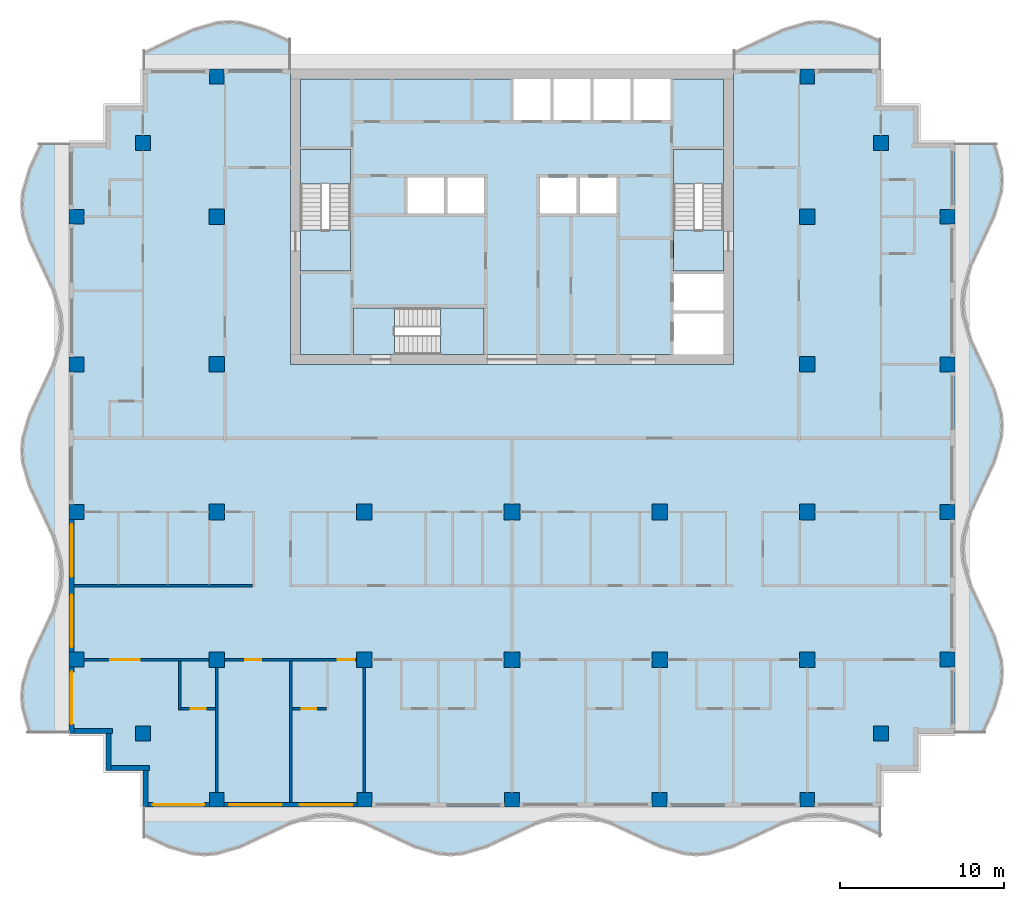
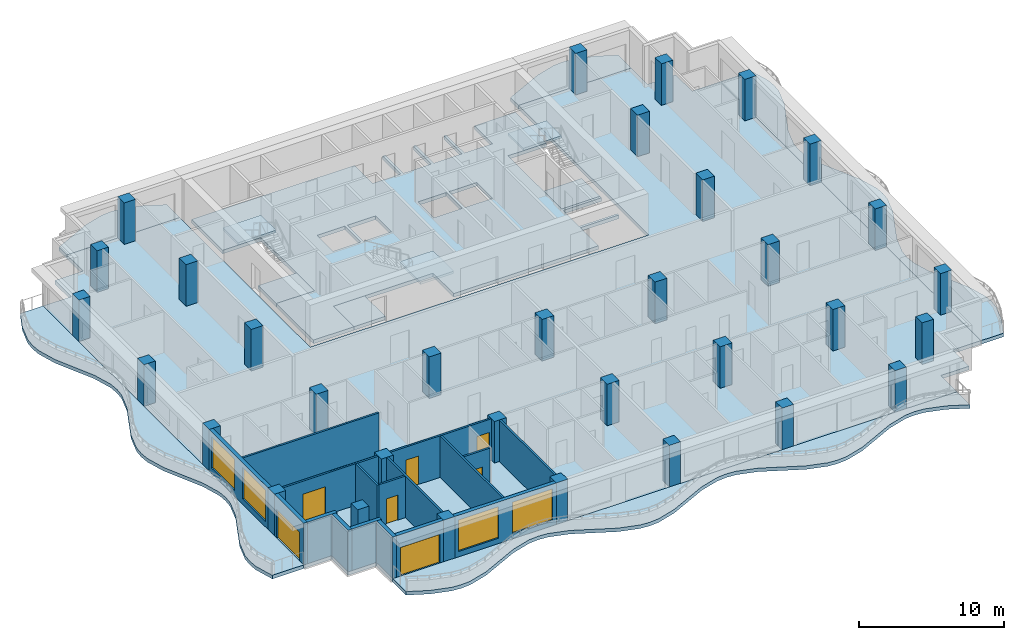
# One storey, part 1 of 11: 33 columns, 17 walls, 13 slabs, 7 doors, 4 windows, 11 openings, 3 elements without a shape of their own.
"""IFC4 building model written with IfcOpenShell, lengths in metres."""

from ifc_helpers import new_model, si_unit, direction, frame, frame_2d, origin, origin_2d, place, context, subcontext, project, spatial, polyline, rectangle, outline, extrude, material, layer, layer_set, material_profile, profile_set, type_object, element, fill, aggregate, save


model = new_model("IFC4")

# Units and contexts
model_context = context("Model", 3, precision=1e-05, world=origin(), true_north=direction((0.0, 1.0)))
body_context = subcontext(model_context, "Body", "Model", "MODEL_VIEW")
ifc_project = project(units=[si_unit("LENGTHUNIT", "METRE"), si_unit("AREAUNIT", "SQUARE_METRE"), si_unit("VOLUMEUNIT", "CUBIC_METRE"), si_unit("PLANEANGLEUNIT", "RADIAN"), si_unit("MASSUNIT", "GRAM", prefix="KILO")], contexts=[model_context])

# Site, building, storey
site_placement = place(None, origin())
site = spatial("IfcSite", under=ifc_project, at=site_placement, CompositionType="ELEMENT")
building_placement = place(site_placement, origin())
building = spatial("IfcBuilding", under=site, at=building_placement, Name="Orbiselva Terraces", CompositionType="ELEMENT")
storey_placement = place(building_placement, frame((0.0, 0.0, 273.0)))
storey = spatial("IfcBuildingStorey", under=building, at=storey_placement, Name="L69", CompositionType="ELEMENT", Elevation=273.0)

# Columns
ifc_material_1 = material(Name="Concrete C50/60", Category="concrete")
ifc_material_profile_1 = material_profile(ifc_material_1, rectangle(XDim=0.95, YDim=0.95, at=origin_2d()), Name="RC 950x950")
ifc_profile_set_1 = profile_set([ifc_material_profile_1], Name="Concrete C50/60")
column_type_1 = type_object("IfcColumnType", Name="COLUMN RC 950x950", PredefinedType="COLUMN", material=ifc_profile_set_1)
for number, where, z_axis, x_axis, name in (
    (1, (-18.0, -13.5, 0.0), (0.0, 0.0, 1.0), (1.0, 0.0, 0.0), "Column L69-01"),
    (2, (-18.0, -4.5, 0.0), (0.0, 0.0, 1.0), (1.0, 0.0, 0.0), "Column L69-03"),
    (3, (-18.0, 13.5, 0.0), (0.0, 0.0, 1.0), (1.0, 0.0, 0.0), "Column L69-04"),
    (4, (-18.0, 4.5, 0.0), (0.0, 0.0, 1.0), (1.0, 0.0, 0.0), "Column L69-06"),
    (5, (-9.0, -13.5, 0.0), (0.0, 0.0, 1.0), (1.0, 0.0, 0.0), "Column L69-13"),
    (6, (-9.0, -4.5, 0.0), (0.0, 0.0, 1.0), (1.0, 0.0, 0.0), "Column L69-15"),
    (7, (0.0, -13.5, 0.0), (0.0, 0.0, 1.0), (1.0, 0.0, 0.0), "Column L69-16"),
    (8, (0.0, -4.5, 0.0), (0.0, 0.0, 1.0), (1.0, 0.0, 0.0), "Column L69-18"),
    (9, (18.0, -13.5, 0.0), (0.0, 0.0, 1.0), (1.0, 0.0, 0.0), "Column L69-19"),
    (10, (18.0, -4.5, 0.0), (0.0, 0.0, 1.0), (1.0, 0.0, 0.0), "Column L69-21"),
    (11, (18.0, 13.5, 0.0), (0.0, 0.0, 1.0), (1.0, 0.0, 0.0), "Column L69-22"),
    (12, (18.0, 4.5, 0.0), (0.0, 0.0, 1.0), (1.0, 0.0, 0.0), "Column L69-24"),
    (13, (9.0, -13.5, 0.0), (0.0, 0.0, 1.0), (1.0, 0.0, 0.0), "Column L69-31"),
    (14, (9.0, -4.5, 0.0), (0.0, 0.0, 1.0), (1.0, 0.0, 0.0), "Column L69-33"),
):
    element("IfcColumn", number, at=place(storey_placement, frame(where, z_axis=z_axis, x_axis=x_axis)), inside=storey, type_object=column_type_1, Name=name, PredefinedType="COLUMN", context=body_context, shape_type="SweptSolid", body=[
        extrude(rectangle(XDim=0.95, YDim=0.95, at=origin_2d()), origin(), (0.0, 0.0, 1.0), 3.5),
    ])
ifc_material_profile_2 = material_profile(ifc_material_1, rectangle(XDim=0.9, YDim=0.9, at=origin_2d()), Name="RC 900x900")
ifc_profile_set_2 = profile_set([ifc_material_profile_2], Name="Concrete C50/60")
column_type_2 = type_object("IfcColumnType", Name="PERIMETER COLUMN RC 900x900", PredefinedType="COLUMN", material=ifc_profile_set_2)
for number, where, z_axis, x_axis, name in (
    (15, (-18.0, -22.05, 0.0), (0.0, 0.0, 1.0), (1.0, 0.0, 0.0), "Column L69-02"),
    (16, (-18.0, 22.05, 0.0), (0.0, 0.0, 1.0), (1.0, 0.0, 0.0), "Column L69-05"),
    (17, (-26.55, -13.5, 0.0), (0.0, 0.0, 1.0), (1.0, 0.0, 0.0), "Column L69-07"),
    (18, (-22.5, -18.0, 0.0), (0.0, 0.0, 1.0), (1.0, 0.0, 0.0), "Column L69-08"),
    (19, (-26.55, -4.5, 0.0), (0.0, 0.0, 1.0), (1.0, 0.0, 0.0), "Column L69-09"),
    (20, (-26.55, 13.5, 0.0), (0.0, 0.0, 1.0), (1.0, 0.0, 0.0), "Column L69-10"),
    (21, (-22.5, 18.0, 0.0), (0.0, 0.0, 1.0), (1.0, 0.0, 0.0), "Column L69-11"),
    (22, (-26.55, 4.5, 0.0), (0.0, 0.0, 1.0), (1.0, 0.0, 0.0), "Column L69-12"),
    (23, (-9.0, -22.05, 0.0), (0.0, 0.0, 1.0), (1.0, 0.0, 0.0), "Column L69-14"),
    (24, (0.0, -22.05, 0.0), (0.0, 0.0, 1.0), (1.0, 0.0, 0.0), "Column L69-17"),
    (25, (18.0, -22.05, 0.0), (0.0, 0.0, 1.0), (1.0, 0.0, 0.0), "Column L69-20"),
    (26, (18.0, 22.05, 0.0), (0.0, 0.0, 1.0), (1.0, 0.0, 0.0), "Column L69-23"),
    (27, (26.55, -13.5, 0.0), (0.0, 0.0, 1.0), (1.0, 0.0, 0.0), "Column L69-25"),
    (28, (22.5, -18.0, 0.0), (0.0, 0.0, 1.0), (1.0, 0.0, 0.0), "Column L69-26"),
    (29, (26.55, -4.5, 0.0), (0.0, 0.0, 1.0), (1.0, 0.0, 0.0), "Column L69-27"),
    (30, (26.55, 13.5, 0.0), (0.0, 0.0, 1.0), (1.0, 0.0, 0.0), "Column L69-28"),
    (31, (22.5, 18.0, 0.0), (0.0, 0.0, 1.0), (1.0, 0.0, 0.0), "Column L69-29"),
    (32, (26.55, 4.5, 0.0), (0.0, 0.0, 1.0), (1.0, 0.0, 0.0), "Column L69-30"),
    (33, (9.0, -22.05, 0.0), (0.0, 0.0, 1.0), (1.0, 0.0, 0.0), "Column L69-32"),
):
    element("IfcColumn", number, at=place(storey_placement, frame(where, z_axis=z_axis, x_axis=x_axis)), inside=storey, type_object=column_type_2, Name=name, PredefinedType="COLUMN", context=body_context, shape_type="SweptSolid", body=[
        extrude(rectangle(XDim=0.9, YDim=0.9, at=origin_2d()), origin(), (0.0, 0.0, 1.0), 3.5),
    ])

# Slabs
ifc_material_2 = material(Name="Concrete C40/50", Category="concrete")
ifc_layer_1 = layer(ifc_material_2, 0.3)
ifc_layer_set_1 = layer_set([ifc_layer_1], Name="Concrete C40/50")
slab_type_1 = type_object("IfcSlabType", Name="CORE-SLAB-FLOOR-300", PredefinedType="FLOOR", material=ifc_layer_set_1)
slab_1_placement = place(storey_placement, frame((0.0, 0.0, -0.3)))
element("IfcSlab", 34, at=slab_1_placement, inside=storey, type_object=slab_type_1, Name="L69 S1 floor landing", PredefinedType="FLOOR", context=body_context, shape_type="SweptSolid", body=[
    extrude(outline(polyline([(-12.9, 12.7), (-9.85, 12.7), (-9.85, 10.2), (-12.9, 10.2), (-12.9, 12.7)])), origin(), (0.0, 0.0, 1.0), 0.3),
])
slab_2_placement = place(storey_placement, frame((0.0, 0.0, -0.3)))
element("IfcSlab", 35, at=slab_2_placement, inside=storey, type_object=slab_type_1, Name="L69 S2 floor landing", PredefinedType="FLOOR", context=body_context, shape_type="SweptSolid", body=[
    extrude(outline(polyline([(12.9, 12.7), (12.9, 10.2), (9.85, 10.2), (9.85, 12.7), (12.9, 12.7)])), origin(), (0.0, 0.0, 1.0), 0.3),
])
slab_3_placement = place(storey_placement, frame((0.0, 0.0, -0.3)))
element("IfcSlab", 36, at=slab_3_placement, inside=storey, type_object=slab_type_1, Name="L69 S3 floor landing", PredefinedType="FLOOR", context=body_context, shape_type="SweptSolid", body=[
    extrude(outline(polyline([(-7.15, 5.1), (-9.65, 5.1), (-9.65, 7.95), (-7.15, 7.95), (-7.15, 5.1)])), origin(), (0.0, 0.0, 1.0), 0.3),
])
slab_4_placement = place(storey_placement, frame((0.0, 0.0, -0.3)))
element("IfcSlab", 37, at=slab_4_placement, inside=storey, type_object=slab_type_1, Name="L69 core floor slab 1", PredefinedType="FLOOR", context=body_context, shape_type="SweptSolid", body=[
    extrude(outline(polyline([(-1.7, 5.1), (-1.7, 7.95), (-9.65, 7.95), (-9.65, 5.1), (-12.9, 5.1), (-12.9, 10.2), (-9.85, 10.2), (-9.85, 17.6), (-12.9, 17.6), (-12.9, 21.9), (0.1, 21.9), (0.1, 19.4), (2.3375, 19.4), (2.3375, 21.9), (2.5375, 21.9), (2.5375, 19.4), (4.775, 19.4), (4.775, 21.9), (4.975, 21.9), (4.975, 19.4), (7.2125, 19.4), (7.2125, 21.9), (7.4125, 21.9), (7.4125, 19.4), (9.65, 19.4), (9.65, 21.9), (12.9, 21.9), (12.9, 17.6), (9.85, 17.6), (9.85, 10.2), (12.9, 10.2), (12.9, 10.0), (9.85, 10.0), (9.85, 7.8), (12.9, 7.8), (12.9, 7.6), (9.85, 7.6), (9.85, 5.1), (-1.7, 5.1)]), holes=[polyline([(-4.1375, 13.7), (-4.1375, 15.9), (-6.375, 15.9), (-6.375, 13.7), (-4.1375, 13.7)]), polyline([(-1.7, 13.7), (-1.7, 15.9), (-3.9375, 15.9), (-3.9375, 13.7), (-1.7, 13.7)]), polyline([(3.9375, 15.9), (1.7, 15.9), (1.7, 13.7), (3.9375, 13.7), (3.9375, 15.9)]), polyline([(6.375, 13.7), (6.375, 15.9), (4.1375, 15.9), (4.1375, 13.7), (6.375, 13.7)])]), origin(), (0.0, 0.0, 1.0), 0.3),
])

# Stair, slab
stair_type_1 = type_object("IfcStairType", Name="CORE-STAIR-1300", PredefinedType="HALF_TURN_STAIR", material=ifc_material_2)
stair_1_placement = place(storey_placement, origin())
stair_1 = element("IfcStair", 38, at=stair_1_placement, inside=storey, type_object=stair_type_1, Name="L69 Exit Stair S1", PredefinedType="HALF_TURN_STAIR")
ifc_layer_2 = layer(ifc_material_2, 0.2)
ifc_layer_set_2 = layer_set([ifc_layer_2], Name="Concrete C40/50")
slab_type_2 = type_object("IfcSlabType", Name="CORE-STAIR-LANDING-200", PredefinedType="LANDING", material=ifc_layer_set_2)
slab_5_placement = place(storey_placement, frame((0.0, 0.0, 1.7)))
slab_5 = element("IfcSlab", 39, at=slab_5_placement, type_object=slab_type_2, Name="S1 landing 1", PredefinedType="LANDING", context=body_context, shape_type="SweptSolid", body=[
    extrude(outline(polyline([(-9.85, 15.5), (-9.85, 17.6), (-12.9, 17.6), (-12.9, 15.5), (-9.85, 15.5)])), origin(), (0.0, 0.0, 1.0), 0.2),
])
aggregate(stair_1, [slab_5])

stair_2_placement = place(storey_placement, origin())
stair_2 = element("IfcStair", 40, at=stair_2_placement, inside=storey, type_object=stair_type_1, Name="L69 Exit Stair S2", PredefinedType="HALF_TURN_STAIR")
slab_6_placement = place(storey_placement, frame((0.0, 0.0, 1.7)))
slab_6 = element("IfcSlab", 41, at=slab_6_placement, type_object=slab_type_2, Name="S2 landing 1", PredefinedType="LANDING", context=body_context, shape_type="SweptSolid", body=[
    extrude(outline(polyline([(12.9, 15.5), (12.9, 17.6), (9.85, 17.6), (9.85, 15.5), (12.9, 15.5)])), origin(), (0.0, 0.0, 1.0), 0.2),
])
aggregate(stair_2, [slab_6])

stair_type_2 = type_object("IfcStairType", Name="CORE-STAIR-1200", PredefinedType="HALF_TURN_STAIR", material=ifc_material_2)
stair_3_placement = place(storey_placement, origin())
stair_3 = element("IfcStair", 42, at=stair_3_placement, inside=storey, type_object=stair_type_2, Name="L69 Exit Stair S3", PredefinedType="HALF_TURN_STAIR")
slab_7_placement = place(storey_placement, frame((0.0, 0.0, 1.7)))
slab_7 = element("IfcSlab", 43, at=slab_7_placement, type_object=slab_type_2, Name="S3 landing 1", PredefinedType="LANDING", context=body_context, shape_type="SweptSolid", body=[
    extrude(outline(polyline([(-4.35, 5.1), (-1.7, 5.1), (-1.7, 7.95), (-4.35, 7.95), (-4.35, 5.1)])), origin(), (0.0, 0.0, 1.0), 0.2),
])
aggregate(stair_3, [slab_7])

# Slabs
ifc_layer_3 = layer(ifc_material_1, 0.3)
ifc_layer_set_3 = layer_set([ifc_layer_3], Name="Concrete C50/60")
slab_type_3 = type_object("IfcSlabType", Name="ENV-BALCONY-SLAB-300", PredefinedType="FLOOR", material=ifc_layer_set_3)
slab_8_placement = place(storey_placement, frame((0.0, 0.0, -0.3)))
element("IfcSlab", 44, at=slab_8_placement, inside=storey, type_object=slab_type_3, Name="Balcony slab L69 S", PredefinedType="FLOOR", context=body_context, shape_type="SweptSolid", body=[
    extrude(outline(polyline([(-22.5, -24.3), (-21.0, -25.005342), (-19.5, -25.441268), (-18.75, -25.5), (-18.0, -25.441268), (-16.5, -25.005342), (-13.5, -23.594658), (-12.0, -23.158732), (-11.25, -23.1), (-10.5, -23.158732), (-9.0, -23.594658), (-6.0, -25.005342), (-4.5, -25.441268), (-3.75, -25.5), (-3.0, -25.441268), (-1.5, -25.005342), (1.5, -23.594658), (3.0, -23.158732), (3.75, -23.1), (4.5, -23.158732), (6.0, -23.594658), (9.0, -25.005342), (10.5, -25.441268), (11.25, -25.5), (12.0, -25.441268), (13.5, -25.005342), (16.5, -23.594658), (18.0, -23.158732), (18.75, -23.1), (19.5, -23.158732), (21.0, -23.594658), (22.5, -24.3), (22.5, -22.5), (-22.5, -22.5), (-22.5, -24.3)])), origin(), (0.0, 0.0, 1.0), 0.3),
])
slab_9_placement = place(storey_placement, frame((0.0, 0.0, -0.3)))
element("IfcSlab", 45, at=slab_9_placement, inside=storey, type_object=slab_type_3, Name="Balcony slab L69 E", PredefinedType="FLOOR", context=body_context, shape_type="SweptSolid", body=[
    extrude(outline(polyline([(28.8, -18.0), (29.505342, -16.5), (29.941268, -15.0), (30.0, -14.25), (29.941268, -13.5), (29.505342, -12.0), (28.094658, -9.0), (27.658732, -7.5), (27.6, -6.75), (27.658732, -6.0), (28.094658, -4.5), (29.505342, -1.5), (29.941268, 0.0), (30.0, 0.75), (29.941268, 1.5), (29.505342, 3.0), (28.094658, 6.0), (27.658732, 7.5), (27.6, 8.25), (27.658732, 9.0), (28.094658, 10.5), (29.505342, 13.5), (29.941268, 15.0), (30.0, 15.75), (29.941268, 16.5), (29.505342, 18.0), (27.0, 18.0), (27.0, -18.0), (28.8, -18.0)])), origin(), (0.0, 0.0, 1.0), 0.3),
])
slab_10_placement = place(storey_placement, frame((0.0, 0.0, -0.3)))
element("IfcSlab", 46, at=slab_10_placement, inside=storey, type_object=slab_type_3, Name="Balcony slab L69 NE", PredefinedType="FLOOR", context=body_context, shape_type="SweptSolid", body=[
    extrude(outline(polyline([(22.5, 24.3), (21.0, 25.005342), (19.5, 25.441268), (18.75, 25.5), (18.0, 25.441268), (16.5, 25.005342), (13.5, 23.594658), (13.5, 22.5), (22.5, 22.5), (22.5, 24.3)])), origin(), (0.0, 0.0, 1.0), 0.3),
])
slab_11_placement = place(storey_placement, frame((0.0, 0.0, -0.3)))
element("IfcSlab", 47, at=slab_11_placement, inside=storey, type_object=slab_type_3, Name="Balcony slab L69 NW", PredefinedType="FLOOR", context=body_context, shape_type="SweptSolid", body=[
    extrude(outline(polyline([(-13.5, 24.3), (-15.0, 25.005342), (-16.5, 25.441268), (-17.25, 25.5), (-18.0, 25.441268), (-19.5, 25.005342), (-22.5, 23.594658), (-22.5, 22.5), (-13.5, 22.5), (-13.5, 24.3)])), origin(), (0.0, 0.0, 1.0), 0.3),
])
slab_12_placement = place(storey_placement, frame((0.0, 0.0, -0.3)))
element("IfcSlab", 48, at=slab_12_placement, inside=storey, type_object=slab_type_3, Name="Balcony slab L69 W", PredefinedType="FLOOR", context=body_context, shape_type="SweptSolid", body=[
    extrude(outline(polyline([(-28.8, 18.0), (-29.505342, 16.5), (-29.941268, 15.0), (-30.0, 14.25), (-29.941268, 13.5), (-29.505342, 12.0), (-28.094658, 9.0), (-27.658732, 7.5), (-27.6, 6.75), (-27.658732, 6.0), (-28.094658, 4.5), (-29.505342, 1.5), (-29.941268, 0.0), (-30.0, -0.75), (-29.941268, -1.5), (-29.505342, -3.0), (-28.094658, -6.0), (-27.658732, -7.5), (-27.6, -8.25), (-27.658732, -9.0), (-28.094658, -10.5), (-29.505342, -13.5), (-29.941268, -15.0), (-30.0, -15.75), (-29.941268, -16.5), (-29.505342, -18.0), (-27.0, -18.0), (-27.0, 18.0), (-28.8, 18.0)])), origin(), (0.0, 0.0, 1.0), 0.3),
])
ifc_layer_4 = layer(ifc_material_1, 0.3)
ifc_layer_set_4 = layer_set([ifc_layer_4], Name="Concrete C50/60")
slab_type_4 = type_object("IfcSlabType", Name="FLOOR SLAB 300", PredefinedType="FLOOR", material=ifc_layer_set_4)
slab_13_placement = place(storey_placement, frame((0.0, 0.0, -0.3)))
element("IfcSlab", 49, at=slab_13_placement, inside=storey, type_object=slab_type_4, Name="Floor slab L69", PredefinedType="FLOOR", context=body_context, shape_type="SweptSolid", body=[
    extrude(outline(polyline([(22.5, 22.5), (22.5, 20.25), (24.75, 20.25), (24.75, 18.0), (27.0, 18.0), (27.0, -18.0), (24.75, -18.0), (24.75, -20.25), (22.5, -20.25), (22.5, -22.5), (-22.5, -22.5), (-22.5, -20.25), (-24.75, -20.25), (-24.75, -18.0), (-27.0, -18.0), (-27.0, 18.0), (-24.75, 18.0), (-24.75, 20.25), (-22.5, 20.25), (-22.5, 22.5), (-13.5, 22.5), (-13.5, 4.5), (13.5, 4.5), (13.5, 22.5), (22.5, 22.5)])), origin(), (0.0, 0.0, 1.0), 0.3),
])

# Wall, opening, door
ifc_material_3 = material(Name="Terracotta cladding on masonry backing", Category="masonry")
ifc_layer_5 = layer(ifc_material_3, 0.3)
ifc_layer_set_5 = layer_set([ifc_layer_5], Name="Terracotta cladding on masonry backing")
wall_type_1 = type_object("IfcWallType", Name="ENV-WALL-TERRACOTTA-300", PredefinedType="SOLIDWALL", material=ifc_layer_set_5)
wall_1_placement = place(storey_placement, frame((-18.45, -22.35, 0.0), z_axis=(0.0, 0.0, 1.0), x_axis=(-1.0, 0.0, 0.0)))
wall_1 = element("IfcWall", 50, at=wall_1_placement, inside=storey, type_object=wall_type_1, Name="Facade wall L69 S", PredefinedType="SOLIDWALL", context=body_context, shape_type="SweptSolid", body=[
    extrude(rectangle(XDim=3.75, YDim=0.3, at=frame_2d((1.875, 0.0))), origin(), (0.0, 0.0, 1.0), 3.5),
])
opening_1_placement = place(wall_1_placement, frame((0.3, 0.0, 0.0)))
opening_1 = element("IfcOpeningElement", 51, at=opening_1_placement, cuts=wall_1, Name="Opening Z5-D-E01", PredefinedType="OPENING", context=body_context, shape_type="SweptSolid", body=[
    extrude(rectangle(XDim=3.15, YDim=2.4, at=frame_2d((1.575, 1.2))), frame((0.0, 0.16, 0.0), z_axis=(0.0, -1.0, 0.0), x_axis=(1.0, 0.0, 0.0)), (0.0, 0.0, 1.0), 0.32),
])
ifc_material_4 = material(Name="Clear low-e glazing in aluminium frame", Category="aluminium")
door_type_1 = type_object("IfcDoorType", Name="BALCONY DOOR 3150 X 2400", OperationType="DOUBLE_DOOR_SLIDING", PredefinedType="DOOR", material=ifc_material_4)
door_1_placement = place(opening_1_placement, origin())
door_1 = element("IfcDoor", 52, at=door_1_placement, inside=storey, type_object=door_type_1, Name="Z5-D-E01", OperationType="SINGLE_SWING_LEFT", OverallHeight=2.4, OverallWidth=3.15, PredefinedType="DOOR", context=body_context, shape_type="SweptSolid", body=[
    extrude(rectangle(XDim=3.15, YDim=2.4, at=frame_2d((1.575, 1.2))), frame((0.0, 0.025, 0.0), z_axis=(0.0, -1.0, 0.0), x_axis=(1.0, 0.0, 0.0)), (0.0, 0.0, 1.0), 0.05),
])
fill(opening_1, door_1)

# Wall, openings, windows
wall_2_placement = place(storey_placement, frame((-9.45, -22.35, 0.0), z_axis=(0.0, 0.0, 1.0), x_axis=(-1.0, 0.0, 0.0)))
wall_2 = element("IfcWall", 53, at=wall_2_placement, inside=storey, type_object=wall_type_1, Name="Facade wall L69 S", PredefinedType="SOLIDWALL", context=body_context, shape_type="SweptSolid", body=[
    extrude(rectangle(XDim=8.1, YDim=0.3, at=frame_2d((4.05, 0.0))), origin(), (0.0, 0.0, 1.0), 3.5),
])
opening_2_placement = place(wall_2_placement, frame((4.6, 0.0, 0.45)))
opening_2 = element("IfcOpeningElement", 54, at=opening_2_placement, cuts=wall_2, Name="Opening WN17", PredefinedType="OPENING", context=body_context, shape_type="SweptSolid", body=[
    extrude(rectangle(XDim=3.2, YDim=2.65, at=frame_2d((1.6, 1.325))), frame((0.0, 0.16, 0.0), z_axis=(0.0, -1.0, 0.0), x_axis=(1.0, 0.0, 0.0)), (0.0, 0.0, 1.0), 0.32),
])
opening_3_placement = place(wall_2_placement, frame((0.3, 0.0, 0.45)))
opening_3 = element("IfcOpeningElement", 55, at=opening_3_placement, cuts=wall_2, Name="Opening WN17", PredefinedType="OPENING", context=body_context, shape_type="SweptSolid", body=[
    extrude(rectangle(XDim=3.2, YDim=2.65, at=frame_2d((1.6, 1.325))), frame((0.0, 0.16, 0.0), z_axis=(0.0, -1.0, 0.0), x_axis=(1.0, 0.0, 0.0)), (0.0, 0.0, 1.0), 0.32),
])
window_type = type_object("IfcWindowType", Name="WINDOW 3200 X 2650 S450", PartitioningType="TRIPLE_PANEL_VERTICAL", PredefinedType="WINDOW", material=ifc_material_4)
window_1_placement = place(opening_2_placement, origin())
window_1 = element("IfcWindow", 56, at=window_1_placement, inside=storey, type_object=window_type, Name="Window L69 S", OverallHeight=2.65, OverallWidth=3.2, PartitioningType="SINGLE_PANEL", PredefinedType="WINDOW", context=body_context, shape_type="SweptSolid", body=[
    extrude(rectangle(XDim=3.2, YDim=2.65, at=frame_2d((1.6, 1.325))), frame((0.0, 0.03, 0.0), z_axis=(0.0, -1.0, 0.0), x_axis=(1.0, 0.0, 0.0)), (0.0, 0.0, 1.0), 0.06),
])
fill(opening_2, window_1)
window_2_placement = place(opening_3_placement, origin())
window_2 = element("IfcWindow", 57, at=window_2_placement, inside=storey, type_object=window_type, Name="Window L69 S", OverallHeight=2.65, OverallWidth=3.2, PartitioningType="SINGLE_PANEL", PredefinedType="WINDOW", context=body_context, shape_type="SweptSolid", body=[
    extrude(rectangle(XDim=3.2, YDim=2.65, at=frame_2d((1.6, 1.325))), frame((0.0, 0.03, 0.0), z_axis=(0.0, -1.0, 0.0), x_axis=(1.0, 0.0, 0.0)), (0.0, 0.0, 1.0), 0.06),
])
fill(opening_3, window_2)

wall_3_placement = place(storey_placement, frame((-26.85, -13.05, 0.0), z_axis=(0.0, 0.0, 1.0), x_axis=(0.0, 1.0, 0.0)))
wall_3 = element("IfcWall", 58, at=wall_3_placement, inside=storey, type_object=wall_type_1, Name="Facade wall L69 W", PredefinedType="SOLIDWALL", context=body_context, shape_type="SweptSolid", body=[
    extrude(rectangle(XDim=8.1, YDim=0.3, at=frame_2d((4.05, 0.0))), origin(), (0.0, 0.0, 1.0), 3.5),
])
opening_4_placement = place(wall_3_placement, frame((4.6, 0.0, 0.45)))
opening_4 = element("IfcOpeningElement", 59, at=opening_4_placement, cuts=wall_3, Name="Opening WN17", PredefinedType="OPENING", context=body_context, shape_type="SweptSolid", body=[
    extrude(rectangle(XDim=3.2, YDim=2.65, at=frame_2d((1.6, 1.325))), frame((0.0, 0.16, 0.0), z_axis=(0.0, -1.0, 0.0), x_axis=(1.0, 0.0, 0.0)), (0.0, 0.0, 1.0), 0.32),
])
opening_5_placement = place(wall_3_placement, frame((0.3, 0.0, 0.45)))
opening_5 = element("IfcOpeningElement", 60, at=opening_5_placement, cuts=wall_3, Name="Opening WN17", PredefinedType="OPENING", context=body_context, shape_type="SweptSolid", body=[
    extrude(rectangle(XDim=3.2, YDim=2.65, at=frame_2d((1.6, 1.325))), frame((0.0, 0.16, 0.0), z_axis=(0.0, -1.0, 0.0), x_axis=(1.0, 0.0, 0.0)), (0.0, 0.0, 1.0), 0.32),
])
window_3_placement = place(opening_4_placement, origin())
window_3 = element("IfcWindow", 61, at=window_3_placement, inside=storey, type_object=window_type, Name="Window L69 W", OverallHeight=2.65, OverallWidth=3.2, PartitioningType="SINGLE_PANEL", PredefinedType="WINDOW", context=body_context, shape_type="SweptSolid", body=[
    extrude(rectangle(XDim=3.2, YDim=2.65, at=frame_2d((1.6, 1.325))), frame((0.0, 0.03, 0.0), z_axis=(0.0, -1.0, 0.0), x_axis=(1.0, 0.0, 0.0)), (0.0, 0.0, 1.0), 0.06),
])
fill(opening_4, window_3)
window_4_placement = place(opening_5_placement, origin())
window_4 = element("IfcWindow", 62, at=window_4_placement, inside=storey, type_object=window_type, Name="Window L69 W", OverallHeight=2.65, OverallWidth=3.2, PartitioningType="SINGLE_PANEL", PredefinedType="WINDOW", context=body_context, shape_type="SweptSolid", body=[
    extrude(rectangle(XDim=3.2, YDim=2.65, at=frame_2d((1.6, 1.325))), frame((0.0, 0.03, 0.0), z_axis=(0.0, -1.0, 0.0), x_axis=(1.0, 0.0, 0.0)), (0.0, 0.0, 1.0), 0.06),
])
fill(opening_5, window_4)

# Wall, opening, door
wall_4_placement = place(storey_placement, frame((-26.85, -18.0, 0.0), z_axis=(0.0, 0.0, 1.0), x_axis=(0.0, 1.0, 0.0)))
wall_4 = element("IfcWall", 63, at=wall_4_placement, inside=storey, type_object=wall_type_1, Name="Facade wall L69 W", PredefinedType="SOLIDWALL", context=body_context, shape_type="SweptSolid", body=[
    extrude(rectangle(XDim=4.05, YDim=0.3, at=frame_2d((2.025, 0.0))), origin(), (0.0, 0.0, 1.0), 3.5),
])
opening_6_placement = place(wall_4_placement, frame((0.55, 0.0, 0.0)))
opening_6 = element("IfcOpeningElement", 64, at=opening_6_placement, cuts=wall_4, Name="Opening Z5-D-E11", PredefinedType="OPENING", context=body_context, shape_type="SweptSolid", body=[
    extrude(rectangle(XDim=3.2, YDim=2.4, at=frame_2d((1.6, 1.2))), frame((0.0, 0.16, 0.0), z_axis=(0.0, -1.0, 0.0), x_axis=(1.0, 0.0, 0.0)), (0.0, 0.0, 1.0), 0.32),
])
door_type_2 = type_object("IfcDoorType", Name="BALCONY DOOR 3200 X 2400", OperationType="DOUBLE_DOOR_SLIDING", PredefinedType="DOOR", material=ifc_material_4)
door_2_placement = place(opening_6_placement, origin())
door_2 = element("IfcDoor", 65, at=door_2_placement, inside=storey, type_object=door_type_2, Name="Z5-D-E11", OperationType="SINGLE_SWING_LEFT", OverallHeight=2.4, OverallWidth=3.2, PredefinedType="DOOR", context=body_context, shape_type="SweptSolid", body=[
    extrude(rectangle(XDim=3.2, YDim=2.4, at=frame_2d((1.6, 1.2))), frame((0.0, 0.025, 0.0), z_axis=(0.0, -1.0, 0.0), x_axis=(1.0, 0.0, 0.0)), (0.0, 0.0, 1.0), 0.05),
])
fill(opening_6, door_2)

# Walls
wall_5_placement = place(storey_placement, frame((-24.35, -17.85, 0.0), z_axis=(0.0, 0.0, 1.0), x_axis=(-1.0, 0.0, 0.0)))
element("IfcWall", 66, at=wall_5_placement, inside=storey, type_object=wall_type_1, Name="Facade wall L69 STEP", PredefinedType="SOLIDWALL", context=body_context, shape_type="SweptSolid", body=[
    extrude(rectangle(XDim=2.35, YDim=0.3, at=frame_2d((1.175, 0.0))), origin(), (0.0, 0.0, 1.0), 3.5),
])
wall_6_placement = place(storey_placement, frame((-24.6, -20.25, 0.0), z_axis=(0.0, 0.0, 1.0), x_axis=(0.0, 1.0, 0.0)))
element("IfcWall", 67, at=wall_6_placement, inside=storey, type_object=wall_type_1, Name="Facade wall L69 STEP", PredefinedType="SOLIDWALL", context=body_context, shape_type="SweptSolid", body=[
    extrude(rectangle(XDim=2.25, YDim=0.3, at=frame_2d((1.125, 0.0))), origin(), (0.0, 0.0, 1.0), 3.5),
])
wall_7_placement = place(storey_placement, frame((-22.1, -20.1, 0.0), z_axis=(0.0, 0.0, 1.0), x_axis=(-1.0, 0.0, 0.0)))
element("IfcWall", 68, at=wall_7_placement, inside=storey, type_object=wall_type_1, Name="Facade wall L69 STEP", PredefinedType="SOLIDWALL", context=body_context, shape_type="SweptSolid", body=[
    extrude(rectangle(XDim=2.35, YDim=0.3, at=frame_2d((1.175, 0.0))), origin(), (0.0, 0.0, 1.0), 3.5),
])
wall_8_placement = place(storey_placement, frame((-22.35, -22.5, 0.0), z_axis=(0.0, 0.0, 1.0), x_axis=(0.0, 1.0, 0.0)))
element("IfcWall", 69, at=wall_8_placement, inside=storey, type_object=wall_type_1, Name="Facade wall L69 STEP", PredefinedType="SOLIDWALL", context=body_context, shape_type="SweptSolid", body=[
    extrude(rectangle(XDim=2.25, YDim=0.3, at=frame_2d((1.125, 0.0))), origin(), (0.0, 0.0, 1.0), 3.5),
])

# Wall, opening, door
ifc_material_5 = material(Name="Plasterboard on steel stud partition", Category="steel")
ifc_layer_6 = layer(ifc_material_5, 0.15)
ifc_layer_set_6 = layer_set([ifc_layer_6], Name="Plasterboard on steel stud partition")
wall_type_2 = type_object("IfcWallType", Name="UNIT-PARTITION-150", PredefinedType="PARTITIONING", material=ifc_layer_set_6)
wall_9_placement = place(storey_placement, frame((-20.175, -16.5, 0.0), z_axis=(0.0, 0.0, 1.0), x_axis=(1.0, 0.0, 0.0)))
wall_9 = element("IfcWall", 70, at=wall_9_placement, inside=storey, type_object=wall_type_2, Name="PARTITION L69-001", PredefinedType="PARTITIONING", context=body_context, shape_type="SweptSolid", body=[
    extrude(rectangle(XDim=2.1, YDim=0.15, at=frame_2d((1.05, 0.0))), origin(), (0.0, 0.0, 1.0), 3.5),
])
opening_7_placement = place(wall_9_placement, frame((0.6, 0.0, 0.0)))
opening_7 = element("IfcOpeningElement", 71, at=opening_7_placement, cuts=wall_9, Name="Opening Z5-D-33", PredefinedType="OPENING", context=body_context, shape_type="SweptSolid", body=[
    extrude(rectangle(XDim=0.9, YDim=2.1, at=frame_2d((0.45, 1.05))), frame((0.0, 0.085, 0.0), z_axis=(0.0, -1.0, 0.0), x_axis=(1.0, 0.0, 0.0)), (0.0, 0.0, 1.0), 0.17),
])
ifc_material_6 = material(Name="Painted timber door leaf", Category="wood")
door_type_3 = type_object("IfcDoorType", Name="BATH DOOR 900", OperationType="NOTDEFINED", PredefinedType="DOOR", material=ifc_material_6)
door_3_placement = place(opening_7_placement, origin())
door_3 = element("IfcDoor", 72, at=door_3_placement, inside=storey, type_object=door_type_3, Name="Z5-D-33", OperationType="SINGLE_SWING_LEFT", OverallHeight=2.1, OverallWidth=0.9, PredefinedType="DOOR", context=body_context, shape_type="SweptSolid", body=[
    extrude(rectangle(XDim=0.9, YDim=2.1, at=frame_2d((0.45, 1.05))), frame((0.0, 0.025, 0.0), z_axis=(0.0, -1.0, 0.0), x_axis=(1.0, 0.0, 0.0)), (0.0, 0.0, 1.0), 0.05),
])
fill(opening_7, door_3)

wall_10_placement = place(storey_placement, frame((-13.425, -16.5, 0.0), z_axis=(0.0, 0.0, 1.0), x_axis=(1.0, 0.0, 0.0)))
wall_10 = element("IfcWall", 73, at=wall_10_placement, inside=storey, type_object=wall_type_2, Name="PARTITION L69-002", PredefinedType="PARTITIONING", context=body_context, shape_type="SweptSolid", body=[
    extrude(rectangle(XDim=2.1, YDim=0.15, at=frame_2d((1.05, 0.0))), origin(), (0.0, 0.0, 1.0), 3.5),
])
opening_8_placement = place(wall_10_placement, frame((0.6, 0.0, 0.0)))
opening_8 = element("IfcOpeningElement", 74, at=opening_8_placement, cuts=wall_10, Name="Opening Z5-D-30", PredefinedType="OPENING", context=body_context, shape_type="SweptSolid", body=[
    extrude(rectangle(XDim=0.9, YDim=2.1, at=frame_2d((0.45, 1.05))), frame((0.0, 0.085, 0.0), z_axis=(0.0, -1.0, 0.0), x_axis=(1.0, 0.0, 0.0)), (0.0, 0.0, 1.0), 0.17),
])
door_4_placement = place(opening_8_placement, origin())
door_4 = element("IfcDoor", 75, at=door_4_placement, inside=storey, type_object=door_type_3, Name="Z5-D-30", OperationType="SINGLE_SWING_LEFT", OverallHeight=2.1, OverallWidth=0.9, PredefinedType="DOOR", context=body_context, shape_type="SweptSolid", body=[
    extrude(rectangle(XDim=0.9, YDim=2.1, at=frame_2d((0.45, 1.05))), frame((0.0, 0.025, 0.0), z_axis=(0.0, -1.0, 0.0), x_axis=(1.0, 0.0, 0.0)), (0.0, 0.0, 1.0), 0.05),
])
fill(opening_8, door_4)

wall_11_placement = place(storey_placement, frame((-18.475, -13.5, 0.0), z_axis=(0.0, 0.0, 1.0), x_axis=(-1.0, 0.0, 0.0)))
wall_11 = element("IfcWall", 76, at=wall_11_placement, inside=storey, type_object=wall_type_2, Name="PARTITION L69-009", PredefinedType="PARTITIONING", context=body_context, shape_type="SweptSolid", body=[
    extrude(rectangle(XDim=7.625, YDim=0.15, at=frame_2d((3.8125, 0.0))), origin(), (0.0, 0.0, 1.0), 3.5),
])
opening_9_placement = place(wall_11_placement, frame((4.225, 0.0, 0.0)))
opening_9 = element("IfcOpeningElement", 77, at=opening_9_placement, cuts=wall_11, Name="Opening Z5-D-32", PredefinedType="OPENING", context=body_context, shape_type="SweptSolid", body=[
    extrude(rectangle(XDim=1.8, YDim=2.4, at=frame_2d((0.9, 1.2))), frame((0.0, 0.085, 0.0), z_axis=(0.0, -1.0, 0.0), x_axis=(1.0, 0.0, 0.0)), (0.0, 0.0, 1.0), 0.17),
])
door_type_4 = type_object("IfcDoorType", Name="DOUBLE DOOR 1800", OperationType="NOTDEFINED", PredefinedType="DOOR", material=ifc_material_6)
door_5_placement = place(opening_9_placement, origin())
door_5 = element("IfcDoor", 78, at=door_5_placement, inside=storey, type_object=door_type_4, Name="Z5-D-32", OperationType="DOUBLE_DOOR_SINGLE_SWING", OverallHeight=2.4, OverallWidth=1.8, PredefinedType="DOOR", context=body_context, shape_type="SweptSolid", body=[
    extrude(rectangle(XDim=1.8, YDim=2.4, at=frame_2d((0.9, 1.2))), frame((0.0, 0.025, 0.0), z_axis=(0.0, -1.0, 0.0), x_axis=(1.0, 0.0, 0.0)), (0.0, 0.0, 1.0), 0.05),
])
fill(opening_9, door_5)

# Wall, openings, doors
wall_12_placement = place(storey_placement, frame((-9.475, -13.5, 0.0), z_axis=(0.0, 0.0, 1.0), x_axis=(-1.0, 0.0, 0.0)))
wall_12 = element("IfcWall", 79, at=wall_12_placement, inside=storey, type_object=wall_type_2, Name="PARTITION L69-010", PredefinedType="PARTITIONING", context=body_context, shape_type="SweptSolid", body=[
    extrude(rectangle(XDim=8.05, YDim=0.15, at=frame_2d((4.025, 0.0))), origin(), (0.0, 0.0, 1.0), 3.5),
])
opening_10_placement = place(wall_12_placement, frame((0.15, 0.0, 0.0)))
opening_10 = element("IfcOpeningElement", 80, at=opening_10_placement, cuts=wall_12, Name="Opening Z5-D-29", PredefinedType="OPENING", context=body_context, shape_type="SweptSolid", body=[
    extrude(rectangle(XDim=1.0, YDim=2.4, at=frame_2d((0.5, 1.2))), frame((0.0, 0.085, 0.0), z_axis=(0.0, -1.0, 0.0), x_axis=(1.0, 0.0, 0.0)), (0.0, 0.0, 1.0), 0.17),
])
opening_11_placement = place(wall_12_placement, frame((5.8, 0.0, 0.0)))
opening_11 = element("IfcOpeningElement", 81, at=opening_11_placement, cuts=wall_12, Name="Opening Z5-D-31", PredefinedType="OPENING", context=body_context, shape_type="SweptSolid", body=[
    extrude(rectangle(XDim=1.0, YDim=2.4, at=frame_2d((0.5, 1.2))), frame((0.0, 0.085, 0.0), z_axis=(0.0, -1.0, 0.0), x_axis=(1.0, 0.0, 0.0)), (0.0, 0.0, 1.0), 0.17),
])
door_type_5 = type_object("IfcDoorType", Name="ROOM DOOR 1000", OperationType="NOTDEFINED", PredefinedType="DOOR", material=ifc_material_6)
door_6_placement = place(opening_10_placement, origin())
door_6 = element("IfcDoor", 82, at=door_6_placement, inside=storey, type_object=door_type_5, Name="Z5-D-29", OperationType="SINGLE_SWING_LEFT", OverallHeight=2.4, OverallWidth=1.0, PredefinedType="DOOR", context=body_context, shape_type="SweptSolid", body=[
    extrude(rectangle(XDim=1.0, YDim=2.4, at=frame_2d((0.5, 1.2))), frame((0.0, 0.025, 0.0), z_axis=(0.0, -1.0, 0.0), x_axis=(1.0, 0.0, 0.0)), (0.0, 0.0, 1.0), 0.05),
])
fill(opening_10, door_6)
door_7_placement = place(opening_11_placement, origin())
door_7 = element("IfcDoor", 83, at=door_7_placement, inside=storey, type_object=door_type_5, Name="Z5-D-31", OperationType="SINGLE_SWING_RIGHT", OverallHeight=2.4, OverallWidth=1.0, PredefinedType="DOOR", context=body_context, shape_type="SweptSolid", body=[
    extrude(rectangle(XDim=1.0, YDim=2.4, at=frame_2d((0.5, 1.2))), frame((0.0, 0.025, 0.0), z_axis=(0.0, -1.0, 0.0), x_axis=(1.0, 0.0, 0.0)), (0.0, 0.0, 1.0), 0.05),
])
fill(opening_11, door_7)

# Walls
wall_13_placement = place(storey_placement, frame((-26.7, -9.0, 0.0), z_axis=(0.0, 0.0, 1.0), x_axis=(1.0, 0.0, 0.0)))
element("IfcWall", 84, at=wall_13_placement, inside=storey, type_object=wall_type_2, Name="PARTITION L69-015", PredefinedType="PARTITIONING", context=body_context, shape_type="SweptSolid", body=[
    extrude(rectangle(XDim=10.875, YDim=0.15, at=frame_2d((5.4375, 0.0))), origin(), (0.0, 0.0, 1.0), 3.5),
])
wall_14_placement = place(storey_placement, frame((-20.25, -16.575, 0.0), z_axis=(0.0, 0.0, 1.0), x_axis=(0.0, 1.0, 0.0)))
element("IfcWall", 85, at=wall_14_placement, inside=storey, type_object=wall_type_2, Name="PARTITION L69-047", PredefinedType="PARTITIONING", context=body_context, shape_type="SweptSolid", body=[
    extrude(rectangle(XDim=3.0, YDim=0.15, at=frame_2d((1.5, 0.0))), origin(), (0.0, 0.0, 1.0), 3.5),
])
wall_15_placement = place(storey_placement, frame((-18.0, -21.6, 0.0), z_axis=(0.0, 0.0, 1.0), x_axis=(0.0, 1.0, 0.0)))
element("IfcWall", 86, at=wall_15_placement, inside=storey, type_object=wall_type_2, Name="PARTITION L69-049", PredefinedType="PARTITIONING", context=body_context, shape_type="SweptSolid", body=[
    extrude(rectangle(XDim=7.625, YDim=0.15, at=frame_2d((3.8125, 0.0))), origin(), (0.0, 0.0, 1.0), 3.5),
])
wall_16_placement = place(storey_placement, frame((-13.5, -22.2, 0.0), z_axis=(0.0, 0.0, 1.0), x_axis=(0.0, 1.0, 0.0)))
element("IfcWall", 87, at=wall_16_placement, inside=storey, type_object=wall_type_2, Name="PARTITION L69-055", PredefinedType="PARTITIONING", context=body_context, shape_type="SweptSolid", body=[
    extrude(rectangle(XDim=8.625, YDim=0.15, at=frame_2d((4.3125, 0.0))), origin(), (0.0, 0.0, 1.0), 3.5),
])
wall_17_placement = place(storey_placement, frame((-9.0, -21.6, 0.0), z_axis=(0.0, 0.0, 1.0), x_axis=(0.0, 1.0, 0.0)))
element("IfcWall", 88, at=wall_17_placement, inside=storey, type_object=wall_type_2, Name="PARTITION L69-059", PredefinedType="PARTITIONING", context=body_context, shape_type="SweptSolid", body=[
    extrude(rectangle(XDim=7.625, YDim=0.15, at=frame_2d((3.8125, 0.0))), origin(), (0.0, 0.0, 1.0), 3.5),
])

save(model, "model.ifc")
